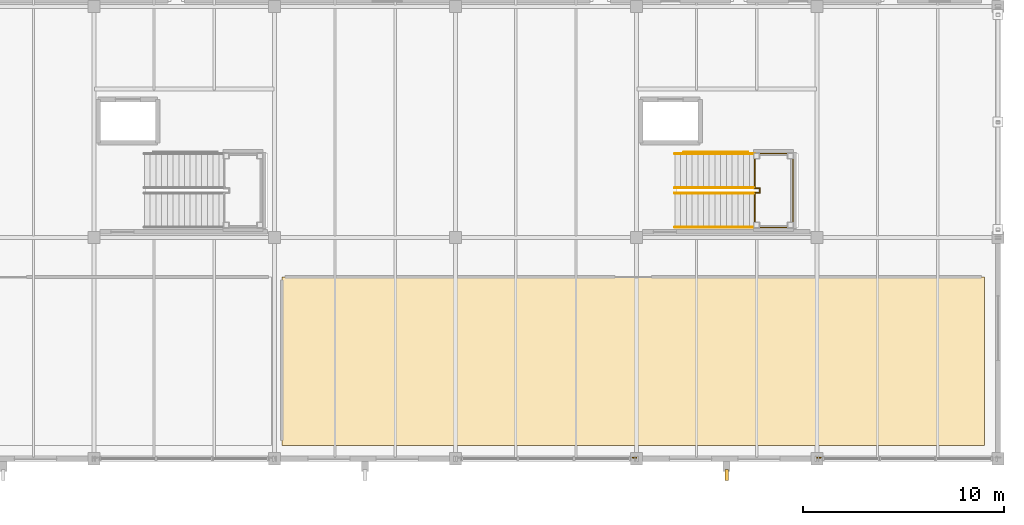
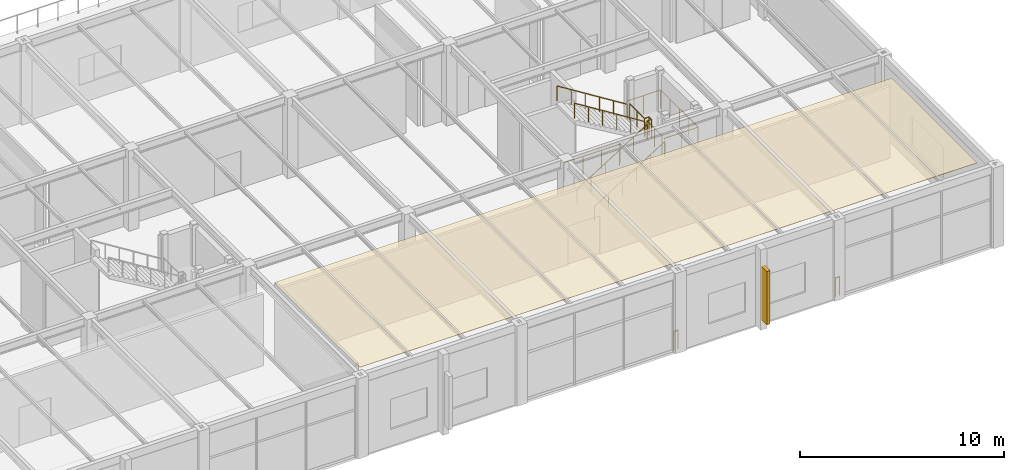
# One storey, part 136 of 143: 9 railings, 1 covering, 1 shading device.
"""IFC4 building model written with IfcOpenShell, lengths in metres."""

from ifc_helpers import new_model, si_unit, direction, frame, origin, origin_2d, place, context, subcontext, project, spatial, polyline, rectangle, circle, outline, extrude, material, layer, layer_set, type_object, element, save


model = new_model("IFC4")

# Units and contexts
model_context = context("Model", 3, precision=1e-05, world=origin(), true_north=direction((0.0, 1.0)))
body_context = subcontext(model_context, "Body", "Model", "MODEL_VIEW")
ifc_project = project(units=[si_unit("LENGTHUNIT", "METRE"), si_unit("AREAUNIT", "SQUARE_METRE"), si_unit("VOLUMEUNIT", "CUBIC_METRE"), si_unit("PLANEANGLEUNIT", "RADIAN"), si_unit("MASSUNIT", "GRAM", prefix="KILO")], contexts=[model_context])

# Site, building, storey
site_placement = place(None, origin())
site = spatial("IfcSite", under=ifc_project, at=site_placement, CompositionType="ELEMENT")
building_placement = place(site_placement, origin())
building = spatial("IfcBuilding", under=site, at=building_placement, Name="Marlcrest Central Station", CompositionType="ELEMENT")
storey_placement = place(building_placement, frame((0.0, 0.0, 4.800048828125)))
storey = spatial("IfcBuildingStorey", under=building, at=storey_placement, Name="L01", CompositionType="ELEMENT", Elevation=4.800048828125)

# Covering
ifc_material_1 = material(Name="Perforated acoustic mineral-fibre ceiling")
ifc_layer = layer(ifc_material_1, 0.02490234375, Name="CV-CLG")
ifc_layer_set = layer_set([ifc_layer], Name="Perforated acoustic mineral-fibre ceiling")
covering_type = type_object("IfcCoveringType", Name="CV-CLG", PredefinedType="CEILING", material=ifc_layer_set)
covering_placement = place(storey_placement, frame((0.0, 0.0, 4.675048828125)))
element("IfcCovering", 1, at=covering_placement, inside=storey, type_object=covering_type, Name="cov-clg-0075", PredefinedType="CEILING", context=body_context, shape_type="SweptSolid", body=[
    extrude(outline(polyline([(215.340087890625, 0.659912109375), (215.340087890625, 9.0400390625), (180.360107421875, 9.0400390625), (180.360107421875, 0.659912109375), (215.340087890625, 0.659912109375)])), origin(), (0.0, 0.0, 1.0), 0.02490234375),
])

# Railings
ifc_material_2 = material(Name="Stainless steel and laminated glass concourse balustrade", Category="steel")
railing_type_1 = type_object("IfcRailingType", Name="GR-02", PredefinedType="BALUSTRADE", material=ifc_material_2)
railing_1_placement = place(storey_placement, frame((203.8701171875, 11.510009765625, 2.5)))
element("IfcRailing", 2, at=railing_1_placement, inside=storey, type_object=railing_type_1, Name="hr-L01-00220", PredefinedType="BALUSTRADE", context=body_context, shape_type="SweptSolid", body=[
    extrude(circle(Radius=0.02392578125, at=origin_2d()), frame((0.0, 0.0, 1.09619140625), z_axis=(1.0, 0.0, 0.0), x_axis=(0.0, 1.0, 0.0)), (0.0, 0.0, 1.0), 1.919921875),
    extrude(circle(Radius=0.02392578125, at=origin_2d()), frame((1.919921875, 0.0, 1.09619140625), z_axis=(0.0, 1.0, 0.0), x_axis=(-1.0, 0.0, 0.0)), (0.0, 0.0, 1.0), 3.679931640625),
    extrude(circle(Radius=0.02392578125, at=origin_2d()), frame((1.919921875, 3.679931640625, 1.09619140625), z_axis=(-1.0, 0.0, 0.0), x_axis=(0.0, -1.0, 0.0)), (0.0, 0.0, 1.0), 1.919921875),
    extrude(circle(Radius=0.02099609375, at=origin_2d()), origin(), (0.0, 0.0, 1.0), 1.072021484375),
    extrude(circle(Radius=0.02099609375, at=origin_2d()), frame((0.9599609375, 0.0, 0.0)), (0.0, 0.0, 1.0), 1.072021484375),
    extrude(circle(Radius=0.02099609375, at=origin_2d()), frame((1.919921875, 0.0, 0.0)), (0.0, 0.0, 1.0), 1.072021484375),
    extrude(circle(Radius=0.02099609375, at=origin_2d()), frame((1.919921875, 0.919921875, 0.0)), (0.0, 0.0, 1.0), 1.072021484375),
    extrude(circle(Radius=0.02099609375, at=origin_2d()), frame((1.919921875, 1.83984375, 0.0)), (0.0, 0.0, 1.0), 1.072021484375),
    extrude(circle(Radius=0.02099609375, at=origin_2d()), frame((1.919921875, 2.760009765625, 0.0)), (0.0, 0.0, 1.0), 1.072021484375),
    extrude(circle(Radius=0.02099609375, at=origin_2d()), frame((1.919921875, 3.679931640625, 0.0)), (0.0, 0.0, 1.0), 1.072021484375),
    extrude(circle(Radius=0.02099609375, at=origin_2d()), frame((0.9599609375, 3.679931640625, 0.0)), (0.0, 0.0, 1.0), 1.072021484375),
    extrude(circle(Radius=0.02099609375, at=origin_2d()), frame((0.0, 3.679931640625, 0.0)), (0.0, 0.0, 1.0), 1.072021484375),
])
for number, where, name in (
    (3, (207.18505859375, 0.06005859375, 0.0), "hr-L01-00338"),
    (4, (198.037109375, 0.06005859375, 0.0), "hr-L01-00339"),
):
    element("IfcRailing", number, at=place(storey_placement, frame(where)), inside=storey, type_object=railing_type_1, Name=name, PredefinedType="BALUSTRADE", context=body_context, shape_type="SweptSolid", body=[
        extrude(circle(Radius=0.02392578125, at=origin_2d()), frame((0.0, 0.0, 1.09619140625), z_axis=(-1.0, 0.0, 0.0), x_axis=(0.0, -1.0, 0.0)), (0.0, 0.0, 1.0), 0.22216796875),
        extrude(circle(Radius=0.02099609375, at=origin_2d()), origin(), (0.0, 0.0, 1.0), 1.072021484375),
        extrude(circle(Radius=0.02099609375, at=origin_2d()), frame((-0.22216796875, 0.0, 0.0)), (0.0, 0.0, 1.0), 1.072021484375),
    ])
railing_2_placement = place(storey_placement, frame((203.5419921875, 15.260009765625, 0.0)))
element("IfcRailing", 5, at=railing_2_placement, inside=storey, type_object=railing_type_1, Name="hr-L01-00345", PredefinedType="BALUSTRADE", context=body_context, shape_type="SweptSolid", body=[
    extrude(circle(Radius=0.02392578125, at=origin_2d()), frame((0.0, 0.0, 1.09619140625), z_axis=(-1.0, 0.0, 0.0), x_axis=(0.0, -1.0, 0.0)), (0.0, 0.0, 1.0), 3.171875),
    extrude(circle(Radius=0.02099609375, at=origin_2d()), origin(), (0.0, 0.0, 1.0), 1.072021484375),
    extrude(circle(Radius=0.02099609375, at=origin_2d()), frame((-1.057373046875, 0.0, 0.0)), (0.0, 0.0, 1.0), 1.072021484375),
    extrude(circle(Radius=0.02099609375, at=origin_2d()), frame((-2.114501953125, 0.0, 0.0)), (0.0, 0.0, 1.0), 1.072021484375),
    extrude(circle(Radius=0.02099609375, at=origin_2d()), frame((-3.171875, 0.0, 0.0)), (0.0, 0.0, 1.0), 1.072021484375),
])
railing_3_placement = place(storey_placement, frame((203.889892578125, 11.760009765625, 2.5)))
element("IfcRailing", 6, at=railing_3_placement, inside=storey, type_object=railing_type_1, Name="hr-L01-00598", PredefinedType="BALUSTRADE", context=body_context, shape_type="SweptSolid", body=[
    extrude(circle(Radius=0.02392578125, at=origin_2d()), frame((0.0, 0.0, 1.09619140625), z_axis=(0.0, 1.0, 0.0), x_axis=(-1.0, 0.0, 0.0)), (0.0, 0.0, 1.0), 1.469970703125),
    extrude(circle(Radius=0.02392578125, at=origin_2d()), frame((0.0, 1.469970703125, 1.09619140625), z_axis=(1.0, 0.0, 0.0), x_axis=(0.0, 1.0, 0.0)), (0.0, 0.0, 1.0), 0.25),
    extrude(circle(Radius=0.02392578125, at=origin_2d()), frame((0.25, 1.469970703125, 1.09619140625), z_axis=(0.0, 1.0, 0.0), x_axis=(-1.0, 0.0, 0.0)), (0.0, 0.0, 1.0), 0.239990234375),
    extrude(circle(Radius=0.02392578125, at=origin_2d()), frame((0.25, 1.7099609375, 1.09619140625), z_axis=(-1.0, 0.0, 0.0), x_axis=(0.0, -1.0, 0.0)), (0.0, 0.0, 1.0), 0.25),
    extrude(circle(Radius=0.02392578125, at=origin_2d()), frame((0.0, 1.7099609375, 1.09619140625), z_axis=(0.0, 1.0, 0.0), x_axis=(-1.0, 0.0, 0.0)), (0.0, 0.0, 1.0), 1.469970703125),
    extrude(circle(Radius=0.02099609375, at=origin_2d()), origin(), (0.0, 0.0, 1.0), 1.072021484375),
    extrude(circle(Radius=0.02099609375, at=origin_2d()), frame((0.0, 0.73486328125, 0.0)), (0.0, 0.0, 1.0), 1.072021484375),
    extrude(circle(Radius=0.02099609375, at=origin_2d()), frame((0.0, 1.469970703125, 0.0)), (0.0, 0.0, 1.0), 1.072021484375),
    extrude(circle(Radius=0.02099609375, at=origin_2d()), frame((0.25, 1.469970703125, 0.0)), (0.0, 0.0, 1.0), 1.072021484375),
    extrude(circle(Radius=0.02099609375, at=origin_2d()), frame((0.25, 1.7099609375, 0.0)), (0.0, 0.0, 1.0), 1.072021484375),
    extrude(circle(Radius=0.02099609375, at=origin_2d()), frame((0.0, 1.7099609375, 0.0)), (0.0, 0.0, 1.0), 1.072021484375),
    extrude(circle(Radius=0.02099609375, at=origin_2d()), frame((0.0, 2.44482421875, 0.0)), (0.0, 0.0, 1.0), 1.072021484375),
    extrude(circle(Radius=0.02099609375, at=origin_2d()), frame((0.0, 3.179931640625, 0.0)), (0.0, 0.0, 1.0), 1.072021484375),
])
ifc_material_3 = material(Name="Brushed stainless steel handrail", Category="steel")
railing_type_2 = type_object("IfcRailingType", Name="HR-01", PredefinedType="HANDRAIL", material=ifc_material_3)
railing_4_placement = place(storey_placement, frame((199.919921875, 11.52001953125, 0.0)))
element("IfcRailing", 7, at=railing_4_placement, inside=storey, type_object=railing_type_2, Name="hr-L01-00216", PredefinedType="HANDRAIL", context=body_context, shape_type="SweptSolid", body=[
    extrude(circle(Radius=0.02392578125, at=origin_2d()), frame((0.0, 0.0, 0.89599609375), z_axis=(0.847400605549, 0.0, 0.530954059892), x_axis=(0.0, 1.0, 0.0)), (0.0, 0.0, 1.0), 4.70849609375),
    extrude(circle(Radius=0.02099609375, at=origin_2d()), origin(), (0.0, 0.0, 1.0), 0.871826171875),
    extrude(circle(Radius=0.02099609375, at=origin_2d()), frame((0.798095703125, 0.0, 0.5)), (0.0, 0.0, 1.0), 0.871826171875),
    extrude(circle(Radius=0.02099609375, at=origin_2d()), frame((1.595947265625, 0.0, 1.0)), (0.0, 0.0, 1.0), 0.871826171875),
    extrude(circle(Radius=0.02099609375, at=origin_2d()), frame((2.39404296875, 0.0, 1.5)), (0.0, 0.0, 1.0), 0.871826171875),
    extrude(circle(Radius=0.02099609375, at=origin_2d()), frame((3.19189453125, 0.0, 2.0)), (0.0, 0.0, 1.0), 0.871826171875),
    extrude(circle(Radius=0.02099609375, at=origin_2d()), frame((3.989990234375, 0.0, 2.5)), (0.0, 0.0, 1.0), 0.871826171875),
])
railing_5_placement = place(storey_placement, frame((203.909912109375, 13.47998046875, 2.5)))
element("IfcRailing", 8, at=railing_5_placement, inside=storey, type_object=railing_type_2, Name="hr-L01-00217", PredefinedType="HANDRAIL", context=body_context, shape_type="SweptSolid", body=[
    extrude(circle(Radius=0.02392578125, at=origin_2d()), frame((0.0, 0.0, 0.89599609375), z_axis=(-0.847400605549, 0.0, 0.530954059892), x_axis=(0.0, -1.0, 0.0)), (0.0, 0.0, 1.0), 4.70849609375),
    extrude(circle(Radius=0.02099609375, at=origin_2d()), origin(), (0.0, 0.0, 1.0), 0.871826171875),
    extrude(circle(Radius=0.02099609375, at=origin_2d()), frame((-0.798095703125, 0.0, 0.5)), (0.0, 0.0, 1.0), 0.871826171875),
    extrude(circle(Radius=0.02099609375, at=origin_2d()), frame((-1.595947265625, 0.0, 1.0)), (0.0, 0.0, 1.0), 0.871826171875),
    extrude(circle(Radius=0.02099609375, at=origin_2d()), frame((-2.39404296875, 0.0, 1.5)), (0.0, 0.0, 1.0), 0.871826171875),
    extrude(circle(Radius=0.02099609375, at=origin_2d()), frame((-3.19189453125, 0.0, 2.0)), (0.0, 0.0, 1.0), 0.871826171875),
    extrude(circle(Radius=0.02099609375, at=origin_2d()), frame((-3.989990234375, 0.0, 2.5)), (0.0, 0.0, 1.0), 0.871826171875),
])
railing_6_placement = place(storey_placement, frame((199.919921875, 13.219970703125, 0.0)))
element("IfcRailing", 9, at=railing_6_placement, inside=storey, type_object=railing_type_2, Name="hr-L01-00218", PredefinedType="HANDRAIL", context=body_context, shape_type="SweptSolid", body=[
    extrude(circle(Radius=0.02392578125, at=origin_2d()), frame((0.0, 0.0, 0.89599609375), z_axis=(0.847400605549, 0.0, 0.530954059892), x_axis=(0.0, 1.0, 0.0)), (0.0, 0.0, 1.0), 4.70849609375),
    extrude(circle(Radius=0.02099609375, at=origin_2d()), origin(), (0.0, 0.0, 1.0), 0.871826171875),
    extrude(circle(Radius=0.02099609375, at=origin_2d()), frame((0.798095703125, 0.0, 0.5)), (0.0, 0.0, 1.0), 0.871826171875),
    extrude(circle(Radius=0.02099609375, at=origin_2d()), frame((1.595947265625, 0.0, 1.0)), (0.0, 0.0, 1.0), 0.871826171875),
    extrude(circle(Radius=0.02099609375, at=origin_2d()), frame((2.39404296875, 0.0, 1.5)), (0.0, 0.0, 1.0), 0.871826171875),
    extrude(circle(Radius=0.02099609375, at=origin_2d()), frame((3.19189453125, 0.0, 2.0)), (0.0, 0.0, 1.0), 0.871826171875),
    extrude(circle(Radius=0.02099609375, at=origin_2d()), frame((3.989990234375, 0.0, 2.5)), (0.0, 0.0, 1.0), 0.871826171875),
])
railing_7_placement = place(storey_placement, frame((203.909912109375, 15.179931640625, 2.5)))
element("IfcRailing", 10, at=railing_7_placement, inside=storey, type_object=railing_type_2, Name="hr-L01-00219", PredefinedType="HANDRAIL", context=body_context, shape_type="SweptSolid", body=[
    extrude(circle(Radius=0.02392578125, at=origin_2d()), frame((0.0, 0.0, 0.89599609375), z_axis=(-0.847400605549, 0.0, 0.530954059892), x_axis=(0.0, -1.0, 0.0)), (0.0, 0.0, 1.0), 4.70849609375),
    extrude(circle(Radius=0.02099609375, at=origin_2d()), origin(), (0.0, 0.0, 1.0), 0.871826171875),
    extrude(circle(Radius=0.02099609375, at=origin_2d()), frame((-0.798095703125, 0.0, 0.5)), (0.0, 0.0, 1.0), 0.871826171875),
    extrude(circle(Radius=0.02099609375, at=origin_2d()), frame((-1.595947265625, 0.0, 1.0)), (0.0, 0.0, 1.0), 0.871826171875),
    extrude(circle(Radius=0.02099609375, at=origin_2d()), frame((-2.39404296875, 0.0, 1.5)), (0.0, 0.0, 1.0), 0.871826171875),
    extrude(circle(Radius=0.02099609375, at=origin_2d()), frame((-3.19189453125, 0.0, 2.0)), (0.0, 0.0, 1.0), 0.871826171875),
    extrude(circle(Radius=0.02099609375, at=origin_2d()), frame((-3.989990234375, 0.0, 2.5)), (0.0, 0.0, 1.0), 0.871826171875),
])

# Shading device
ifc_material_4 = material(Name="Precast concrete C40/50", Category="concrete")
shading_device_type = type_object("IfcShadingDeviceType", Name="SD-BS2", PredefinedType="USERDEFINED", material=ifc_material_4)
shading_device_placement = place(storey_placement, frame((202.5, -0.820068359375, 0.5751953125), z_axis=(0.0, 0.0, 1.0), x_axis=(1.0, 0.0, 0.0)))
element("IfcShadingDevice", 11, at=shading_device_placement, inside=storey, type_object=shading_device_type, Name="shd-L01-0028", ObjectType="BRISE_SOLEIL", PredefinedType="USERDEFINED", context=body_context, shape_type="SweptSolid", body=[
    extrude(rectangle(XDim=0.179931640625, YDim=0.550048828125, at=origin_2d()), origin(), (0.0, 0.0, 1.0), 3.199951171875),
])

save(model, "model.ifc")
